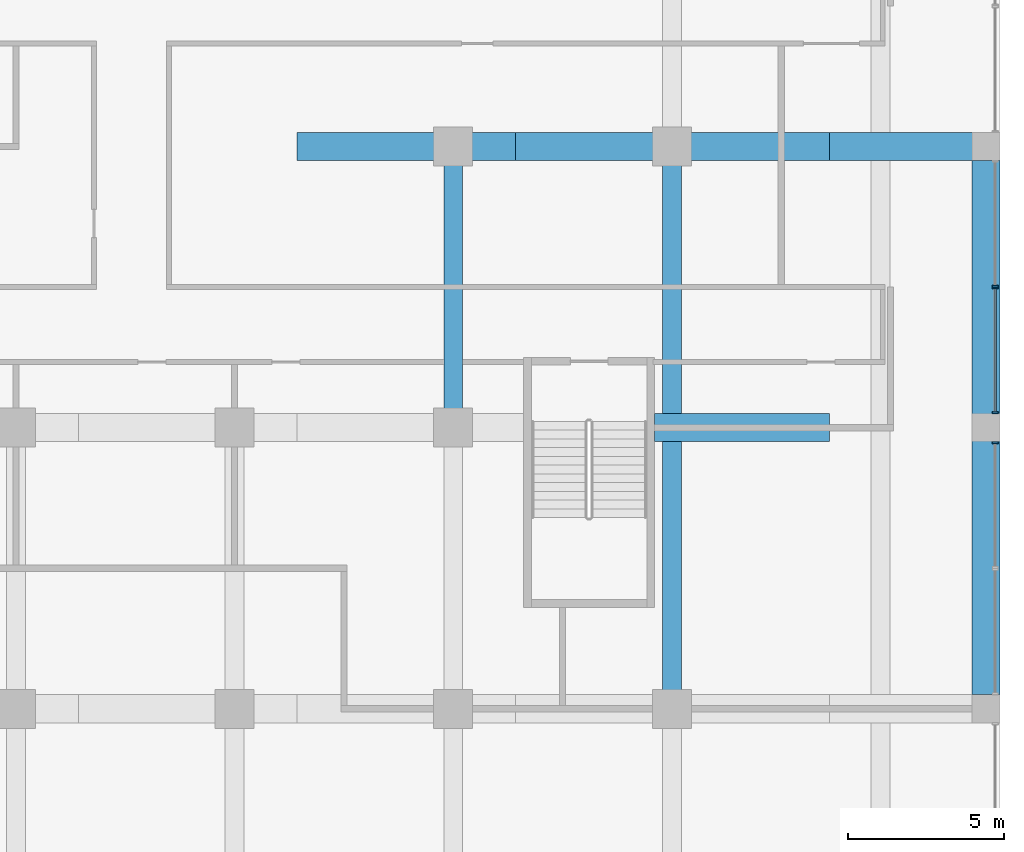
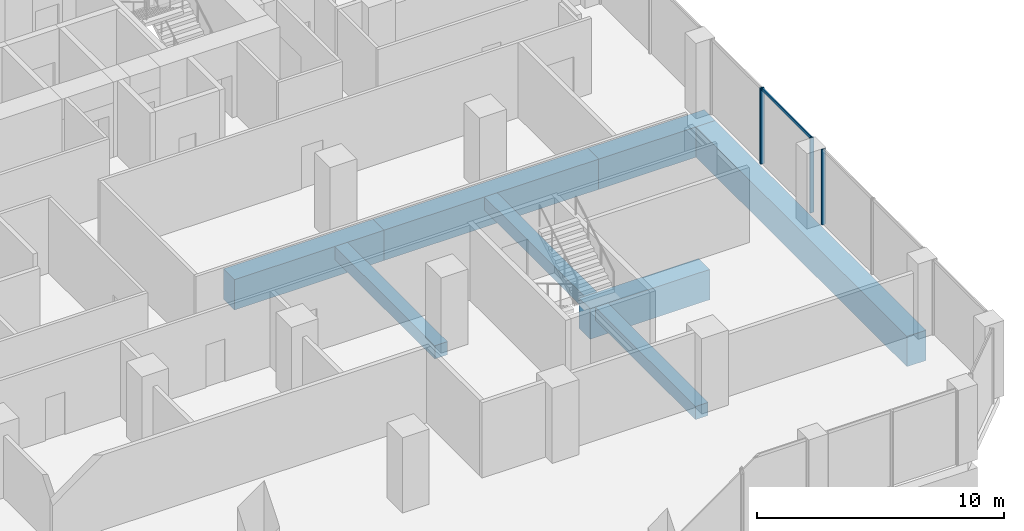
# One storey, part 6 of 20: 7 beams, 5 members, 3 elements without a shape of their own.
"""IFC4 building model written with IfcOpenShell, lengths in metres."""

import ifcopenshell
import ifcopenshell.guid

model = None  # the IFC model being written
_history = None  # IfcOwnerHistory: only IFC2X3 demands one
_inside = {}  # id of a spatial element -> (the spatial element, [elements in it])
_under = {}  # id of a project, library or spatial element -> (it, [spatial elements below it])
_declared = {}  # id of a project -> (the project, [libraries it declares])
_typed = {}  # id of a type object -> (the type object, [elements of that type])
_made_of = {}  # id of a material, layer set ... -> (it, [elements and type objects made of it])


def new_model(schema):
    """Start an empty IFC model of exactly this schema.

    Asked for "IFC4X3", IfcOpenShell would pick the latest addendum, in which some entities
    have other attributes; the version numbers below select the first issue.
    IFC2X3 requires an IfcOwnerHistory on every rooted entity: one is made here for all.
    """
    global model, _history
    if schema == "IFC4X3":
        model = ifcopenshell.file(schema_version=(4, 3, 0, 0))
    else:
        model = ifcopenshell.file(schema=schema)
    _inside.clear()
    _under.clear()
    _declared.clear()
    _typed.clear()
    _made_of.clear()
    _history = None
    if model.schema == "IFC2X3":
        org = make("IfcOrganization", Name="unknown")
        user = make(
            "IfcPersonAndOrganization",
            ThePerson=make("IfcPerson", FamilyName="unknown"),
            TheOrganization=org,
        )
        app = make(
            "IfcApplication",
            ApplicationDeveloper=org,
            Version="unknown",
            ApplicationFullName="unknown",
            ApplicationIdentifier="unknown",
        )
        _history = make(
            "IfcOwnerHistory",
            OwningUser=user,
            OwningApplication=app,
            ChangeAction="ADDED",
            CreationDate=0,
        )
    return model


def make(cls, **values):
    """One entity of the class cls with the attributes given. An attribute that is None is left unset."""
    return model.create_entity(
        cls, **{name: value for name, value in values.items() if value is not None}
    )


def rooted(cls, **values):
    """An entity with a GlobalId (a new one), such as an element, a storey or a relation."""
    return make(cls, GlobalId=ifcopenshell.guid.new(), OwnerHistory=_history, **values)


def si_unit(unit_type, name, prefix=None):
    """IfcSIUnit, for example si_unit("LENGTHUNIT", "METRE", prefix="MILLI")."""
    return make("IfcSIUnit", UnitType=unit_type, Prefix=prefix, Name=name)


def assignment(units):
    """IfcUnitAssignment: the units of a project."""
    return None if units is None else make("IfcUnitAssignment", Units=units)


def point(xyz):
    """IfcCartesianPoint."""
    return None if xyz is None else make("IfcCartesianPoint", Coordinates=xyz)


def direction(xyz):
    """IfcDirection."""
    return None if xyz is None else make("IfcDirection", DirectionRatios=xyz)


def frame(location, z_axis=None, x_axis=None):
    """IfcAxis2Placement3D, a coordinate frame: its origin and axes. An axis left out is left unset."""
    return make(
        "IfcAxis2Placement3D",
        Location=point(location),
        Axis=direction(z_axis),
        RefDirection=direction(x_axis),
    )


def frame_2d(location, x_axis=None):
    """IfcAxis2Placement2D, a coordinate frame in the plane: its origin and x axis."""
    return make(
        "IfcAxis2Placement2D", Location=point(location), RefDirection=direction(x_axis)
    )


def origin():
    """The frame at (0, 0, 0) with its axes left unset."""
    return frame((0.0, 0.0, 0.0))


def origin_2d():
    """The frame at (0, 0) in the plane with its x axis left unset."""
    return frame_2d((0.0, 0.0))


def place(relative_to, where):
    """IfcLocalPlacement: puts the frame where relative to a parent placement (None: the world)."""
    return make(
        "IfcLocalPlacement", PlacementRelTo=relative_to, RelativePlacement=where
    )


def context(
    kind, dimensions, precision=None, world=None, true_north=None, identifier=None
):
    """IfcGeometricRepresentationContext, for example the 3D "Model" context."""
    return make(
        "IfcGeometricRepresentationContext",
        ContextIdentifier=identifier,
        ContextType=kind,
        CoordinateSpaceDimension=dimensions,
        Precision=precision,
        WorldCoordinateSystem=world,
        TrueNorth=true_north,
    )


def subcontext(parent, identifier, kind, view, scale=None):
    """IfcGeometricRepresentationSubContext, for example "Body" below "Model"."""
    return make(
        "IfcGeometricRepresentationSubContext",
        ContextIdentifier=identifier,
        ContextType=kind,
        ParentContext=parent,
        TargetScale=scale,
        TargetView=view,
    )


def project(units=None, contexts=None):
    """IfcProject with its units and contexts."""
    return rooted(
        "IfcProject",
        Name="project",
        RepresentationContexts=contexts,
        UnitsInContext=assignment(units),
    )


def spatial(cls, under=None, at=None, **own):
    """A site, building, storey or space (cls), placed at a placement, below another one or the project."""
    s = rooted(cls, ObjectPlacement=at, **own)
    if under is not None:
        _under.setdefault(under.id(), (under, []))[1].append(s)
    return s


def profile(cls, at=None, kind="AREA", **sizes):
    """A parametric profile (cls). Its sizes go by their IFC names, for example OverallWidth=200.0."""
    return make(cls, ProfileType=kind, Position=at, **sizes)


def rectangle(**sizes):
    """IfcRectangleProfileDef."""
    return profile("IfcRectangleProfileDef", **sizes)


def extrude(swept, where, along, depth):
    """IfcExtrudedAreaSolid: the profile swept, set in the frame where, extruded along a direction by depth."""
    return make(
        "IfcExtrudedAreaSolid",
        SweptArea=swept,
        Position=where,
        ExtrudedDirection=direction(along),
        Depth=depth,
    )


def shape(context_of_items, identifier, shape_type, items):
    """IfcShapeRepresentation: the items that make up one representation, for example the "Body"."""
    return make(
        "IfcShapeRepresentation",
        ContextOfItems=context_of_items,
        RepresentationIdentifier=identifier,
        RepresentationType=shape_type,
        Items=items,
    )


def source(mapping_origin, context_of_items, identifier, shape_type, items):
    """IfcRepresentationMap: a shape defined once, which mapped items show again and again."""
    return make(
        "IfcRepresentationMap",
        MappingOrigin=mapping_origin,
        MappedRepresentation=shape(context_of_items, identifier, shape_type, items),
    )


def transform(
    local_origin,
    x_axis=None,
    y_axis=None,
    z_axis=None,
    scale=None,
    scale2=None,
    scale3=None,
    uniform=True,
):
    """IfcCartesianTransformationOperator3D, or its non-uniform kind. x_axis, y_axis, z_axis: its Axis1, 2, 3."""
    if uniform:
        return make(
            "IfcCartesianTransformationOperator3D",
            Axis1=direction(x_axis),
            Axis2=direction(y_axis),
            LocalOrigin=point(local_origin),
            Scale=scale,
            Axis3=direction(z_axis),
        )
    return make(
        "IfcCartesianTransformationOperator3DnonUniform",
        Axis1=direction(x_axis),
        Axis2=direction(y_axis),
        LocalOrigin=point(local_origin),
        Scale=scale,
        Axis3=direction(z_axis),
        Scale2=scale2,
        Scale3=scale3,
    )


def mapped(mapping_source, mapping_target):
    """IfcMappedItem: shows the shape of a source again, moved by a transform."""
    return make(
        "IfcMappedItem", MappingSource=mapping_source, MappingTarget=mapping_target
    )


def material(Name=None, Category=None):
    """IfcMaterial."""
    return make("IfcMaterial", Name=Name, Category=Category)


def material_profile(
    of_material, cross_section, Name=None, Category=None, Priority=None
):
    """IfcMaterialProfile: a cross section and its material."""
    return make(
        "IfcMaterialProfile",
        Name=Name,
        Material=of_material,
        Profile=cross_section,
        Priority=Priority,
        Category=Category,
    )


def profile_set(profiles, Name=None, composite=None):
    """IfcMaterialProfileSet."""
    return make(
        "IfcMaterialProfileSet",
        Name=Name,
        MaterialProfiles=profiles,
        CompositeProfile=composite,
    )


def made_of(thing, what):
    """Note that an element or type object is made of a material, layer set ...; save() writes the relation."""
    if what is not None:
        _made_of.setdefault(what.id(), (what, []))[1].append(thing)
    return thing


def type_object(cls, material=None, **own):
    """A type object (cls), such as IfcWallType, which elements share."""
    return made_of(rooted(cls, **own), material)


def element(
    cls,
    number,
    at=None,
    inside=None,
    cuts=None,
    type_object=None,
    material=None,
    context=None,
    identifier="Body",
    shape_type=None,
    held_by="IfcProductDefinitionShape",
    body=None,
    shapes=None,
    **own,
):
    """One element of the class cls, such as IfcWall. Its Tag is "e" and its number.

    at: its placement. inside: the storey or other place that contains it. cuts: it is an
    opening in that element (IfcRelVoidsElement). A single representation is given by context,
    identifier, shape_type and body (its items); several are given by shapes. held_by: the class
    of the entity that holds the representations. save() writes the other relations.
    """
    e = rooted(cls, Tag="e%d" % number, ObjectPlacement=at, **own)
    if body is not None:
        shapes = [shape(context, identifier, shape_type, body)]
    if shapes is not None:
        e.Representation = make(held_by, Representations=shapes)
    if inside is not None:
        _inside.setdefault(inside.id(), (inside, []))[1].append(e)
    if cuts is not None:
        rooted(
            "IfcRelVoidsElement", RelatingBuildingElement=cuts, RelatedOpeningElement=e
        )
    if type_object is not None:
        _typed.setdefault(type_object.id(), (type_object, []))[1].append(e)
    return made_of(e, material)


def aggregate(whole, parts):
    """IfcRelAggregates: a whole, such as a stair, and the parts it consists of."""
    return rooted("IfcRelAggregates", RelatingObject=whole, RelatedObjects=parts)


def save(model, path):
    """Write the relations noted so far, then the file.

    IfcRelAggregates (storeys below a building ...), IfcRelContainedInSpatialStructure (elements
    in a storey), IfcRelDefinesByType, IfcRelAssociatesMaterial and IfcRelDeclares: one each for
    every whole, place, type object, material and project.
    """
    for whole, parts in _under.values():
        aggregate(whole, parts)
    for where, things in _inside.values():
        rooted(
            "IfcRelContainedInSpatialStructure",
            RelatedElements=things,
            RelatingStructure=where,
        )
    for kind, things in _typed.values():
        rooted("IfcRelDefinesByType", RelatedObjects=things, RelatingType=kind)
    for what, things in _made_of.values():
        rooted("IfcRelAssociatesMaterial", RelatedObjects=things, RelatingMaterial=what)
    for by, libraries in _declared.values():
        rooted("IfcRelDeclares", RelatingContext=by, RelatedDefinitions=libraries)
    model.write(path)


model = new_model("IFC4")

# Units and contexts
model_context = context("Model", 3, precision=1e-05, world=origin(), true_north=direction((0.0, 1.0)))
body_context = subcontext(model_context, "Body", "Model", "MODEL_VIEW")
ifc_project = project(units=[si_unit("LENGTHUNIT", "METRE"), si_unit("AREAUNIT", "SQUARE_METRE"), si_unit("VOLUMEUNIT", "CUBIC_METRE"), si_unit("PLANEANGLEUNIT", "RADIAN"), si_unit("MASSUNIT", "GRAM", prefix="KILO")], contexts=[model_context])

# Site, building, storey
site_placement = place(None, origin())
site = spatial("IfcSite", under=ifc_project, at=site_placement, CompositionType="ELEMENT")
building_placement = place(site_placement, origin())
building = spatial("IfcBuilding", under=site, at=building_placement, Name="Kilnfold Tower and Market Hall", CompositionType="ELEMENT")
storey_placement = place(building_placement, frame((0.0, 0.0, 63.199951171875)))
storey = spatial("IfcBuildingStorey", under=building, at=storey_placement, Name="L14", CompositionType="ELEMENT", Elevation=63.199951171875)

# Beams
ifc_material_1 = material(Name="Concrete C60", Category="concrete")
ifc_material_profile_1 = material_profile(ifc_material_1, rectangle(XDim=0.89990234375, YDim=1.5, at=origin_2d()), Name="RC 900x1500")
ifc_profile_set_1 = profile_set([ifc_material_profile_1], Name="Concrete C60")
beam_type_1 = type_object("IfcBeamType", Name="TRANSFER GIRDER 900X1500 C60", PredefinedType="BEAM", material=ifc_profile_set_1)
shared_shape_1 = source(origin(), body_context, "Body", "SweptSolid", [
    extrude(rectangle(XDim=0.89990234375, YDim=1.5, at=origin_2d()), origin(), (0.0, 0.0, 1.0), 10.050048828125),
])
beam_1_placement = place(storey_placement, frame((17.5, -1.0, -1.14990234375), z_axis=(1.0, 0.0, 0.0), x_axis=(0.0, 1.0, 0.0)))
element("IfcBeam", 1, at=beam_1_placement, inside=storey, type_object=beam_type_1, Name="Beam TG1500-B2.30", PredefinedType="BEAM", context=body_context, shape_type="MappedRepresentation", body=[
    mapped(shared_shape_1, transform((0.0, 0.0, 0.0))),
])
shared_shape_2 = source(origin(), body_context, "Body", "SweptSolid", [
    extrude(rectangle(XDim=0.89990234375, YDim=1.5, at=origin_2d()), origin(), (0.0, 0.0, 1.0), 7.0),
])
beam_2_placement = place(storey_placement, frame((10.5, -1.0, -1.14990234375), z_axis=(1.0, 0.0, 0.0), x_axis=(0.0, 1.0, 0.0)))
element("IfcBeam", 2, at=beam_2_placement, inside=storey, type_object=beam_type_1, Name="Beam TG1500-B2.27", PredefinedType="BEAM", context=body_context, shape_type="MappedRepresentation", body=[
    mapped(shared_shape_2, transform((0.0, 0.0, 0.0))),
])
shared_shape_3 = source(origin(), body_context, "Body", "SweptSolid", [
    extrude(rectangle(XDim=0.89990234375, YDim=1.5, at=origin_2d()), origin(), (0.0, 0.0, 1.0), 5.60009765625),
])
beam_3_placement = place(storey_placement, frame((21.949951171875, -10.0, -1.14990234375), z_axis=(1.0, 0.0, 0.0), x_axis=(0.0, 1.0, 0.0)))
element("IfcBeam", 3, at=beam_3_placement, inside=storey, type_object=beam_type_1, Name="Beam TG1500-B2.31", PredefinedType="BEAM", context=body_context, shape_type="MappedRepresentation", body=[
    mapped(shared_shape_3, transform((0.0, 0.0, 0.0))),
])
shared_shape_4 = source(origin(), body_context, "Body", "SweptSolid", [
    extrude(rectangle(XDim=0.89990234375, YDim=1.5, at=origin_2d()), origin(), (0.0, 0.0, 1.0), 5.449951171875),
])
beam_4_placement = place(storey_placement, frame((27.550048828125, -1.0, -1.14990234375), z_axis=(1.0, 0.0, 0.0), x_axis=(0.0, 1.0, 0.0)))
element("IfcBeam", 4, at=beam_4_placement, inside=storey, type_object=beam_type_1, Name="Beam TG1500-B2.35", PredefinedType="BEAM", context=body_context, shape_type="MappedRepresentation", body=[
    mapped(shared_shape_4, transform((0.0, 0.0, 0.0))),
])
shared_shape_5 = source(origin(), body_context, "Body", "SweptSolid", [
    extrude(rectangle(XDim=0.89990234375, YDim=1.5, at=origin_2d()), origin(), (0.0, 0.0, 1.0), 17.10009765625),
])
beam_5_placement = place(storey_placement, frame((32.550048828125, -18.550048828125, -1.14990234375), z_axis=(0.0, 1.0, 0.0), x_axis=(-1.0, 0.0, 0.0)))
element("IfcBeam", 5, at=beam_5_placement, inside=storey, type_object=beam_type_1, Name="Beam TG1500-B2.36", PredefinedType="BEAM", context=body_context, shape_type="MappedRepresentation", body=[
    mapped(shared_shape_5, transform((0.0, 0.0, 0.0))),
])
ifc_material_2 = material(Name="Concrete C45", Category="concrete")
ifc_material_profile_2 = material_profile(ifc_material_2, rectangle(XDim=0.60009765625, YDim=0.64990234375, at=origin_2d()), Name="RC 600x650")
ifc_profile_set_2 = profile_set([ifc_material_profile_2], Name="Concrete C45")
beam_type_2 = type_object("IfcBeamType", Name="BEAM 600X650 C45", PredefinedType="BEAM", material=ifc_profile_set_2)
shared_shape_6 = source(origin(), body_context, "Body", "SweptSolid", [
    extrude(rectangle(XDim=0.60009765625, YDim=0.64990234375, at=origin_2d()), origin(), (0.0, 0.0, 1.0), 8.10009765625),
])
beam_6_placement = place(storey_placement, frame((15.5, -9.550048828125, -0.724853515625), z_axis=(0.0, 1.0, 0.0), x_axis=(-1.0, 0.0, 0.0)))
element("IfcBeam", 6, at=beam_6_placement, inside=storey, type_object=beam_type_2, Name="Beam BB650-B2.54", PredefinedType="BEAM", context=body_context, shape_type="MappedRepresentation", body=[
    mapped(shared_shape_6, transform((0.0, 0.0, 0.0))),
])
shared_shape_7 = source(origin(), body_context, "Body", "SweptSolid", [
    extrude(rectangle(XDim=0.60009765625, YDim=0.64990234375, at=origin_2d()), origin(), (0.0, 0.0, 1.0), 17.10009765625),
])
beam_7_placement = place(storey_placement, frame((22.5, -18.550048828125, -0.724853515625), z_axis=(0.0, 1.0, 0.0), x_axis=(-1.0, 0.0, 0.0)))
element("IfcBeam", 7, at=beam_7_placement, inside=storey, type_object=beam_type_2, Name="Beam BB650-B2.56", PredefinedType="BEAM", context=body_context, shape_type="MappedRepresentation", body=[
    mapped(shared_shape_7, transform((0.0, 0.0, 0.0))),
])

# Curtain wall, member
ifc_material_3 = material(Name="Aluminium and double glazing", Category="aluminium")
curtain_wall_type = type_object("IfcCurtainWallType", Name="CW OF1 VALLEY GLAZING", PredefinedType="NOTDEFINED", material=ifc_material_3)
curtain_wall_1_placement = place(storey_placement, origin())
curtain_wall_1 = element("IfcCurtainWall", 8, at=curtain_wall_1_placement, inside=storey, type_object=curtain_wall_type, Name="Curtain wall CW1 L14 E", PredefinedType="NOTDEFINED")
ifc_material_4 = material(Name="Aluminium", Category="aluminium")
ifc_material_profile_3 = material_profile(ifc_material_4, rectangle(XDim=0.06005859375, YDim=0.179931640625, at=origin_2d()), Name="MULLION 60x180")
ifc_profile_set_3 = profile_set([ifc_material_profile_3], Name="Aluminium")
member_type_1 = type_object("IfcMemberType", Name="MULLION 60X180", PredefinedType="MULLION", material=ifc_profile_set_3)
shared_shape_8 = source(origin(), body_context, "Body", "SweptSolid", [
    extrude(rectangle(XDim=0.06005859375, YDim=0.179931640625, at=origin_2d()), origin(), (0.0, 0.0, 1.0), 3.719970703125),
])
member_1_placement = place(storey_placement, frame((32.85009765625, -10.47998046875, 0.0), z_axis=(0.0, 0.0, 1.0), x_axis=(0.0, 1.0, 0.0)))
member_1 = element("IfcMember", 9, at=member_1_placement, type_object=member_type_1, Name="CW1 mullion 2", PredefinedType="MULLION", context=body_context, shape_type="MappedRepresentation", body=[
    mapped(shared_shape_8, transform((0.0, 0.0, 0.0))),
])
aggregate(curtain_wall_1, [member_1])

# Curtain wall, members
curtain_wall_2_placement = place(storey_placement, origin())
curtain_wall_2 = element("IfcCurtainWall", 10, at=curtain_wall_2_placement, inside=storey, type_object=curtain_wall_type, Name="Curtain wall CW1 L14 E", PredefinedType="NOTDEFINED")
member_2_placement = place(storey_placement, frame((32.85009765625, -9.52001953125, 0.0), z_axis=(0.0, 0.0, 1.0), x_axis=(0.0, 1.0, 0.0)))
member_2 = element("IfcMember", 11, at=member_2_placement, type_object=member_type_1, Name="CW1 mullion 1", PredefinedType="MULLION", context=body_context, shape_type="MappedRepresentation", body=[
    mapped(shared_shape_8, transform((0.0, 0.0, 0.0))),
])
member_3_placement = place(storey_placement, frame((32.85009765625, -5.530029296875, 0.0), z_axis=(0.0, 0.0, 1.0), x_axis=(0.0, 1.0, 0.0)))
member_3 = element("IfcMember", 12, at=member_3_placement, type_object=member_type_1, Name="CW1 mullion 2", PredefinedType="MULLION", context=body_context, shape_type="MappedRepresentation", body=[
    mapped(shared_shape_8, transform((0.0, 0.0, 0.0))),
])

# Curtain wall, member
curtain_wall_3_placement = place(storey_placement, origin())
curtain_wall_3 = element("IfcCurtainWall", 13, at=curtain_wall_3_placement, inside=storey, type_object=curtain_wall_type, Name="Curtain wall CW1 L14 E", PredefinedType="NOTDEFINED")
member_4_placement = place(storey_placement, frame((32.85009765625, -5.469970703125, 0.0), z_axis=(0.0, 0.0, 1.0), x_axis=(0.0, 1.0, 0.0)))
member_4 = element("IfcMember", 14, at=member_4_placement, type_object=member_type_1, Name="CW1 mullion 1", PredefinedType="MULLION", context=body_context, shape_type="MappedRepresentation", body=[
    mapped(shared_shape_8, transform((0.0, 0.0, 0.0))),
])
aggregate(curtain_wall_3, [member_4])

# Member
ifc_material_5 = material(Name="Aluminium", Category="aluminium")
ifc_material_profile_4 = material_profile(ifc_material_5, rectangle(XDim=0.06005859375, YDim=0.139892578125, at=origin_2d()), Name="TRANSOM 60x140")
ifc_profile_set_4 = profile_set([ifc_material_profile_4], Name="Aluminium")
member_type_2 = type_object("IfcMemberType", Name="TRANSOM 60X140", PredefinedType="USERDEFINED", material=ifc_profile_set_4)
shared_shape_9 = source(origin(), body_context, "Body", "SweptSolid", [
    extrude(rectangle(XDim=0.06005859375, YDim=0.139892578125, at=origin_2d()), origin(), (0.0, 0.0, 1.0), 3.929931640625),
])
member_5_placement = place(storey_placement, frame((32.85009765625, -9.489990234375, 3.68994140625), z_axis=(0.0, 1.0, 0.0), x_axis=(-1.0, 0.0, 0.0)))
member_5 = element("IfcMember", 15, at=member_5_placement, type_object=member_type_2, Name="CW1 transom 1.2", ObjectType="TRANSOM", PredefinedType="USERDEFINED", context=body_context, shape_type="MappedRepresentation", body=[
    mapped(shared_shape_9, transform((0.0, 0.0, 0.0))),
])

aggregate(curtain_wall_2, [member_2, member_3, member_5])

save(model, "model.ifc")
